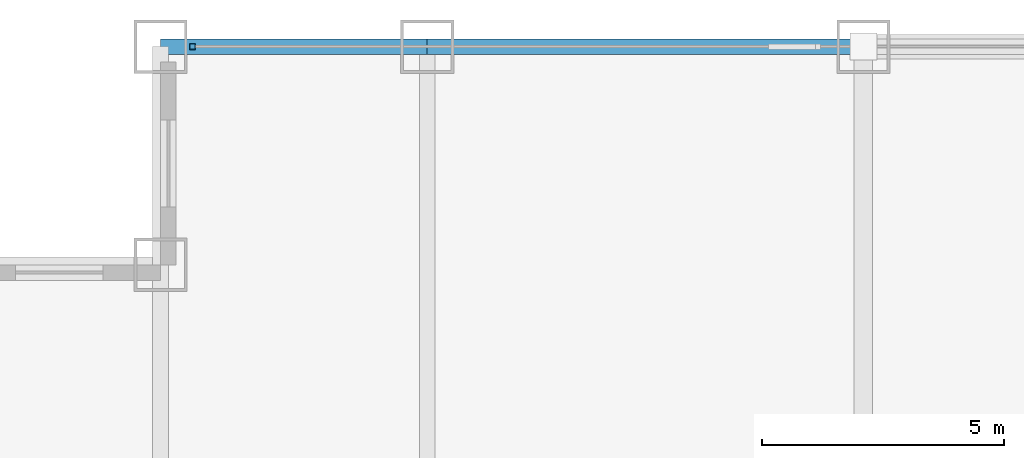
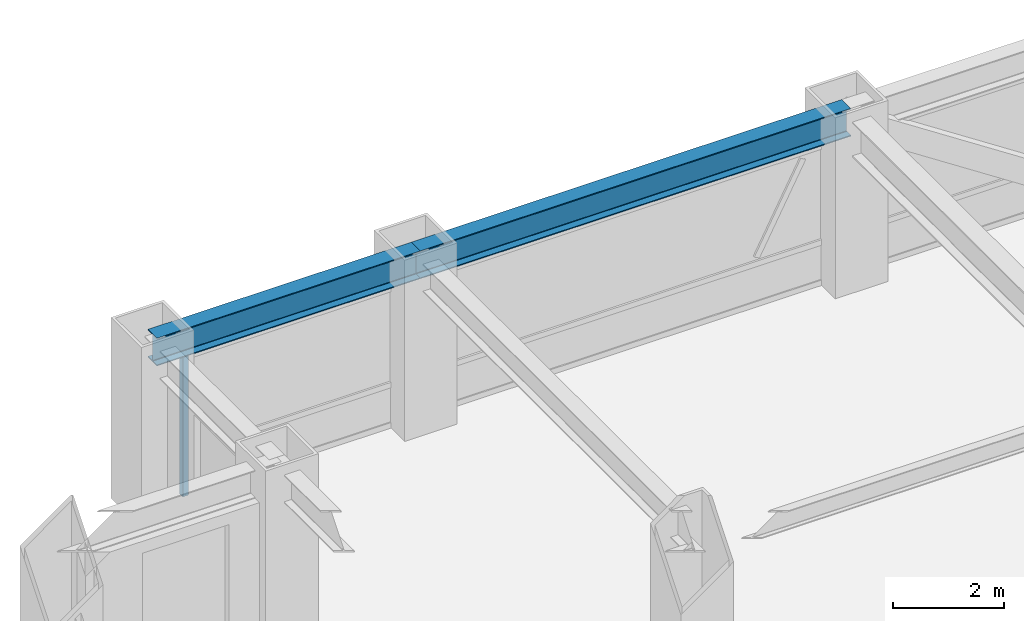
# One storey, part 14 of 24: 2 beams, 1 member, 1 element without a shape of its own.
"""IFC4 building model written with IfcOpenShell, lengths in metres."""

from ifc_helpers import new_model, si_unit, direction, frame, origin, origin_2d, place, context, subcontext, project, spatial, hollow_rectangle, i_section, extrude, source, transform, mapped, material, material_profile, profile_set, type_object, element, aggregate, save


model = new_model("IFC4")

# Units and contexts
model_context = context("Model", 3, precision=1e-05, world=origin(), true_north=direction((0.0, 1.0)))
body_context = subcontext(model_context, "Body", "Model", "MODEL_VIEW")
ifc_project = project(units=[si_unit("LENGTHUNIT", "METRE"), si_unit("AREAUNIT", "SQUARE_METRE"), si_unit("VOLUMEUNIT", "CUBIC_METRE"), si_unit("PLANEANGLEUNIT", "RADIAN"), si_unit("MASSUNIT", "GRAM", prefix="KILO")], contexts=[model_context])

# Site, building, storey
site_placement = place(None, origin())
site = spatial("IfcSite", under=ifc_project, at=site_placement, CompositionType="ELEMENT")
building_placement = place(site_placement, origin())
building = spatial("IfcBuilding", under=site, at=building_placement, Name="Khorayat Bourse Tower", CompositionType="ELEMENT")
storey_placement = place(building_placement, frame((0.0, 0.0, 163.10009765625)))
storey = spatial("IfcBuildingStorey", under=building, at=storey_placement, Name="L37", CompositionType="ELEMENT", Elevation=163.10009765625)

# Beams
ifc_material_1 = material(Name="Steel ASTM A992 Grade 50", Category="steel")
ifc_material_profile_1 = material_profile(ifc_material_1, i_section(OverallWidth=0.324951171875, OverallDepth=0.615966796875, WebThickness=0.013916015625, FlangeThickness=0.021484375, FilletRadius=0.01611328125, at=origin_2d()), Name="W610X174")
ifc_profile_set_1 = profile_set([ifc_material_profile_1], Name="Steel ASTM A992 Grade 50")
beam_type = type_object("IfcBeamType", Name="BM-SPAN-610", PredefinedType="SPANDREL", material=ifc_profile_set_1)
shared_shape_1 = source(origin(), body_context, "Body", "SweptSolid", [
    extrude(i_section(OverallWidth=0.324951171875, OverallDepth=0.615966796875, WebThickness=0.013916015625, FlangeThickness=0.021484375, FilletRadius=0.01611328125, at=origin_2d()), origin(), (0.0, 0.0, 1.0), 5.5),
])
beam_1_placement = place(storey_placement, frame((-25.5, 30.0, 3.471923828125), z_axis=(1.0, 0.0, 0.0), x_axis=(0.0, 1.0, 0.0)))
element("IfcBeam", 1, at=beam_1_placement, inside=storey, type_object=beam_type, Name="L37 BM-SPAN-610 BM-L37-SPN-051", PredefinedType="SPANDREL", context=body_context, shape_type="MappedRepresentation", body=[
    mapped(shared_shape_1, transform((0.0, 0.0, 0.0), scale=1.0)),
])
shared_shape_2 = source(origin(), body_context, "Body", "SweptSolid", [
    extrude(i_section(OverallWidth=0.324951171875, OverallDepth=0.615966796875, WebThickness=0.013916015625, FlangeThickness=0.021484375, FilletRadius=0.01611328125, at=origin_2d()), origin(), (0.0, 0.0, 1.0), 9.0),
])
beam_2_placement = place(storey_placement, frame((-20.0, 30.0, 3.471923828125), z_axis=(1.0, 0.0, 0.0), x_axis=(0.0, 1.0, 0.0)))
element("IfcBeam", 2, at=beam_2_placement, inside=storey, type_object=beam_type, Name="L37 BM-SPAN-610 BM-L37-SPN-050", PredefinedType="SPANDREL", context=body_context, shape_type="MappedRepresentation", body=[
    mapped(shared_shape_2, transform((0.0, 0.0, 0.0), scale=1.0)),
])

# Curtain wall, member
ifc_material_2 = material(Name="Aluminium EN AW-6063 T6", Category="aluminium")
curtain_wall_type = type_object("IfcCurtainWallType", Name="CW-SYS-03", PredefinedType="NOTDEFINED", material=ifc_material_2)
curtain_wall_placement = place(storey_placement, origin())
curtain_wall = element("IfcCurtainWall", 3, at=curtain_wall_placement, inside=storey, type_object=curtain_wall_type, Name="L37 Curtain Wall CW-L37-N1", PredefinedType="NOTDEFINED")
ifc_material_profile_2 = material_profile(ifc_material_2, hollow_rectangle(XDim=0.1201171875, YDim=0.1201171875, WallThickness=0.0048828125, at=origin_2d()), Name="ALU 120x120x5")
ifc_profile_set_2 = profile_set([ifc_material_profile_2], Name="Aluminium EN AW-6063 T6")
member_type = type_object("IfcMemberType", Name="CWM-VERT-120", PredefinedType="MULLION", material=ifc_profile_set_2)
shared_shape_3 = source(origin(), body_context, "Body", "SweptSolid", [
    extrude(hollow_rectangle(XDim=0.1201171875, YDim=0.1201171875, WallThickness=0.0048828125, at=origin_2d()), origin(), (0.0, 0.0, 1.0), 3.1298828125),
])
member_placement = place(storey_placement, frame((-24.840087890625, 30.0, 0.0), z_axis=(0.0, 0.0, 1.0), x_axis=(0.0, 1.0, 0.0)))
member = element("IfcMember", 4, at=member_placement, type_object=member_type, Name="CW-L37-N1 Vertical Mullion 1", PredefinedType="MULLION", context=body_context, shape_type="MappedRepresentation", body=[
    mapped(shared_shape_3, transform((0.0, 0.0, 0.0), scale=1.0)),
])
aggregate(curtain_wall, [member])

save(model, "model.ifc")
